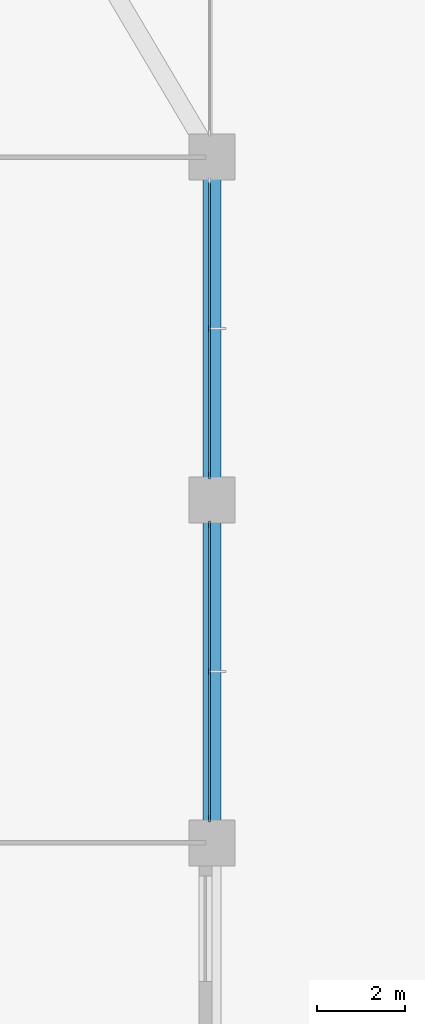
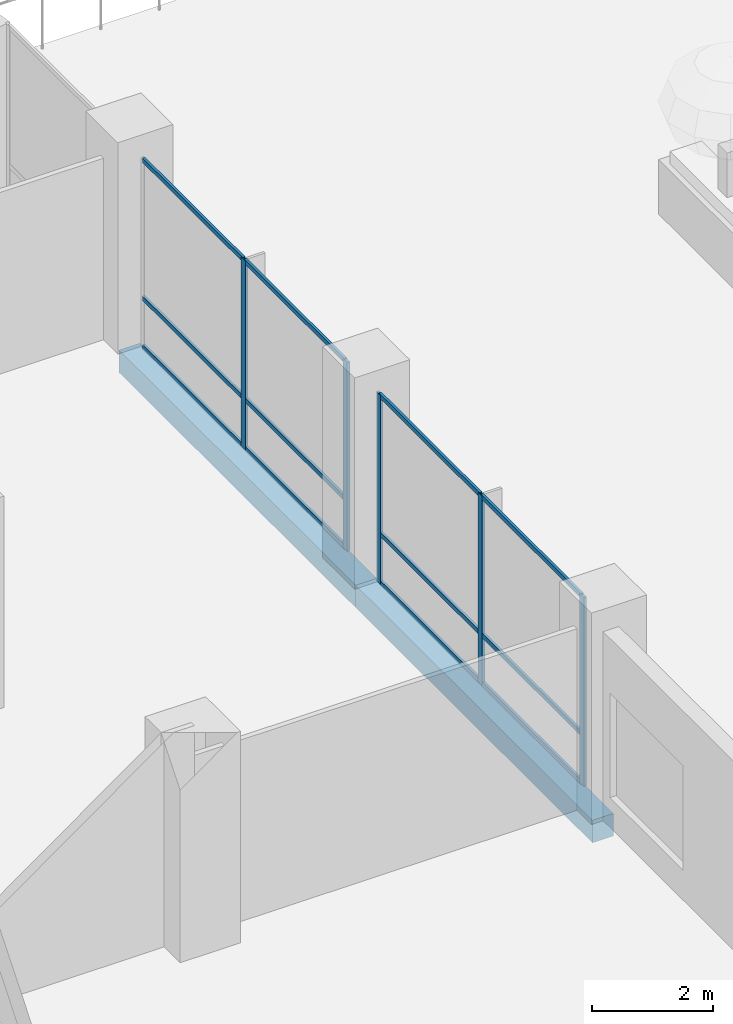
# One storey, part 8 of 31: 17 members, 2 beams, 2 elements without a shape of their own.
"""IFC4 building model written with IfcOpenShell, lengths in metres."""

import ifcopenshell
import ifcopenshell.guid

model = None  # the IFC model being written
_history = None  # IfcOwnerHistory: only IFC2X3 demands one
_inside = {}  # id of a spatial element -> (the spatial element, [elements in it])
_under = {}  # id of a project, library or spatial element -> (it, [spatial elements below it])
_declared = {}  # id of a project -> (the project, [libraries it declares])
_typed = {}  # id of a type object -> (the type object, [elements of that type])
_made_of = {}  # id of a material, layer set ... -> (it, [elements and type objects made of it])


def new_model(schema):
    """Start an empty IFC model of exactly this schema.

    Asked for "IFC4X3", IfcOpenShell would pick the latest addendum, in which some entities
    have other attributes; the version numbers below select the first issue.
    IFC2X3 requires an IfcOwnerHistory on every rooted entity: one is made here for all.
    """
    global model, _history
    if schema == "IFC4X3":
        model = ifcopenshell.file(schema_version=(4, 3, 0, 0))
    else:
        model = ifcopenshell.file(schema=schema)
    _inside.clear()
    _under.clear()
    _declared.clear()
    _typed.clear()
    _made_of.clear()
    _history = None
    if model.schema == "IFC2X3":
        org = make("IfcOrganization", Name="unknown")
        user = make(
            "IfcPersonAndOrganization",
            ThePerson=make("IfcPerson", FamilyName="unknown"),
            TheOrganization=org,
        )
        app = make(
            "IfcApplication",
            ApplicationDeveloper=org,
            Version="unknown",
            ApplicationFullName="unknown",
            ApplicationIdentifier="unknown",
        )
        _history = make(
            "IfcOwnerHistory",
            OwningUser=user,
            OwningApplication=app,
            ChangeAction="ADDED",
            CreationDate=0,
        )
    return model


def make(cls, **values):
    """One entity of the class cls with the attributes given. An attribute that is None is left unset."""
    return model.create_entity(
        cls, **{name: value for name, value in values.items() if value is not None}
    )


def rooted(cls, **values):
    """An entity with a GlobalId (a new one), such as an element, a storey or a relation."""
    return make(cls, GlobalId=ifcopenshell.guid.new(), OwnerHistory=_history, **values)


def si_unit(unit_type, name, prefix=None):
    """IfcSIUnit, for example si_unit("LENGTHUNIT", "METRE", prefix="MILLI")."""
    return make("IfcSIUnit", UnitType=unit_type, Prefix=prefix, Name=name)


def assignment(units):
    """IfcUnitAssignment: the units of a project."""
    return None if units is None else make("IfcUnitAssignment", Units=units)


def point(xyz):
    """IfcCartesianPoint."""
    return None if xyz is None else make("IfcCartesianPoint", Coordinates=xyz)


def direction(xyz):
    """IfcDirection."""
    return None if xyz is None else make("IfcDirection", DirectionRatios=xyz)


def frame(location, z_axis=None, x_axis=None):
    """IfcAxis2Placement3D, a coordinate frame: its origin and axes. An axis left out is left unset."""
    return make(
        "IfcAxis2Placement3D",
        Location=point(location),
        Axis=direction(z_axis),
        RefDirection=direction(x_axis),
    )


def frame_2d(location, x_axis=None):
    """IfcAxis2Placement2D, a coordinate frame in the plane: its origin and x axis."""
    return make(
        "IfcAxis2Placement2D", Location=point(location), RefDirection=direction(x_axis)
    )


def origin():
    """The frame at (0, 0, 0) with its axes left unset."""
    return frame((0.0, 0.0, 0.0))


def origin_2d():
    """The frame at (0, 0) in the plane with its x axis left unset."""
    return frame_2d((0.0, 0.0))


def place(relative_to, where):
    """IfcLocalPlacement: puts the frame where relative to a parent placement (None: the world)."""
    return make(
        "IfcLocalPlacement", PlacementRelTo=relative_to, RelativePlacement=where
    )


def context(
    kind, dimensions, precision=None, world=None, true_north=None, identifier=None
):
    """IfcGeometricRepresentationContext, for example the 3D "Model" context."""
    return make(
        "IfcGeometricRepresentationContext",
        ContextIdentifier=identifier,
        ContextType=kind,
        CoordinateSpaceDimension=dimensions,
        Precision=precision,
        WorldCoordinateSystem=world,
        TrueNorth=true_north,
    )


def subcontext(parent, identifier, kind, view, scale=None):
    """IfcGeometricRepresentationSubContext, for example "Body" below "Model"."""
    return make(
        "IfcGeometricRepresentationSubContext",
        ContextIdentifier=identifier,
        ContextType=kind,
        ParentContext=parent,
        TargetScale=scale,
        TargetView=view,
    )


def project(units=None, contexts=None):
    """IfcProject with its units and contexts."""
    return rooted(
        "IfcProject",
        Name="project",
        RepresentationContexts=contexts,
        UnitsInContext=assignment(units),
    )


def spatial(cls, under=None, at=None, **own):
    """A site, building, storey or space (cls), placed at a placement, below another one or the project."""
    s = rooted(cls, ObjectPlacement=at, **own)
    if under is not None:
        _under.setdefault(under.id(), (under, []))[1].append(s)
    return s


def profile(cls, at=None, kind="AREA", **sizes):
    """A parametric profile (cls). Its sizes go by their IFC names, for example OverallWidth=200.0."""
    return make(cls, ProfileType=kind, Position=at, **sizes)


def rectangle(**sizes):
    """IfcRectangleProfileDef."""
    return profile("IfcRectangleProfileDef", **sizes)


def extrude(swept, where, along, depth):
    """IfcExtrudedAreaSolid: the profile swept, set in the frame where, extruded along a direction by depth."""
    return make(
        "IfcExtrudedAreaSolid",
        SweptArea=swept,
        Position=where,
        ExtrudedDirection=direction(along),
        Depth=depth,
    )


def shape(context_of_items, identifier, shape_type, items):
    """IfcShapeRepresentation: the items that make up one representation, for example the "Body"."""
    return make(
        "IfcShapeRepresentation",
        ContextOfItems=context_of_items,
        RepresentationIdentifier=identifier,
        RepresentationType=shape_type,
        Items=items,
    )


def material(Name=None, Category=None):
    """IfcMaterial."""
    return make("IfcMaterial", Name=Name, Category=Category)


def material_profile(
    of_material, cross_section, Name=None, Category=None, Priority=None
):
    """IfcMaterialProfile: a cross section and its material."""
    return make(
        "IfcMaterialProfile",
        Name=Name,
        Material=of_material,
        Profile=cross_section,
        Priority=Priority,
        Category=Category,
    )


def profile_set(profiles, Name=None, composite=None):
    """IfcMaterialProfileSet."""
    return make(
        "IfcMaterialProfileSet",
        Name=Name,
        MaterialProfiles=profiles,
        CompositeProfile=composite,
    )


def made_of(thing, what):
    """Note that an element or type object is made of a material, layer set ...; save() writes the relation."""
    if what is not None:
        _made_of.setdefault(what.id(), (what, []))[1].append(thing)
    return thing


def type_object(cls, material=None, **own):
    """A type object (cls), such as IfcWallType, which elements share."""
    return made_of(rooted(cls, **own), material)


def element(
    cls,
    number,
    at=None,
    inside=None,
    cuts=None,
    type_object=None,
    material=None,
    context=None,
    identifier="Body",
    shape_type=None,
    held_by="IfcProductDefinitionShape",
    body=None,
    shapes=None,
    **own,
):
    """One element of the class cls, such as IfcWall. Its Tag is "e" and its number.

    at: its placement. inside: the storey or other place that contains it. cuts: it is an
    opening in that element (IfcRelVoidsElement). A single representation is given by context,
    identifier, shape_type and body (its items); several are given by shapes. held_by: the class
    of the entity that holds the representations. save() writes the other relations.
    """
    e = rooted(cls, Tag="e%d" % number, ObjectPlacement=at, **own)
    if body is not None:
        shapes = [shape(context, identifier, shape_type, body)]
    if shapes is not None:
        e.Representation = make(held_by, Representations=shapes)
    if inside is not None:
        _inside.setdefault(inside.id(), (inside, []))[1].append(e)
    if cuts is not None:
        rooted(
            "IfcRelVoidsElement", RelatingBuildingElement=cuts, RelatedOpeningElement=e
        )
    if type_object is not None:
        _typed.setdefault(type_object.id(), (type_object, []))[1].append(e)
    return made_of(e, material)


def aggregate(whole, parts):
    """IfcRelAggregates: a whole, such as a stair, and the parts it consists of."""
    return rooted("IfcRelAggregates", RelatingObject=whole, RelatedObjects=parts)


def save(model, path):
    """Write the relations noted so far, then the file.

    IfcRelAggregates (storeys below a building ...), IfcRelContainedInSpatialStructure (elements
    in a storey), IfcRelDefinesByType, IfcRelAssociatesMaterial and IfcRelDeclares: one each for
    every whole, place, type object, material and project.
    """
    for whole, parts in _under.values():
        aggregate(whole, parts)
    for where, things in _inside.values():
        rooted(
            "IfcRelContainedInSpatialStructure",
            RelatedElements=things,
            RelatingStructure=where,
        )
    for kind, things in _typed.values():
        rooted("IfcRelDefinesByType", RelatedObjects=things, RelatingType=kind)
    for what, things in _made_of.values():
        rooted("IfcRelAssociatesMaterial", RelatedObjects=things, RelatingMaterial=what)
    for by, libraries in _declared.values():
        rooted("IfcRelDeclares", RelatingContext=by, RelatedDefinitions=libraries)
    model.write(path)


model = new_model("IFC4")

# Units and contexts
model_context = context("Model", 3, precision=1e-05, world=origin(), true_north=direction((0.0, 1.0)))
body_context = subcontext(model_context, "Body", "Model", "MODEL_VIEW")
ifc_project = project(units=[si_unit("LENGTHUNIT", "METRE"), si_unit("AREAUNIT", "SQUARE_METRE"), si_unit("VOLUMEUNIT", "CUBIC_METRE"), si_unit("PLANEANGLEUNIT", "RADIAN"), si_unit("MASSUNIT", "GRAM", prefix="KILO")], contexts=[model_context])

# Site, building, storey
site_placement = place(None, origin())
site = spatial("IfcSite", under=ifc_project, at=site_placement, CompositionType="ELEMENT")
building_placement = place(site_placement, origin())
building = spatial("IfcBuilding", under=site, at=building_placement, Name="Ludao Terraces", CompositionType="ELEMENT")
storey_placement = place(building_placement, frame((0.0, 0.0, 15.0)))
storey = spatial("IfcBuildingStorey", under=building, at=storey_placement, Name="L03", CompositionType="ELEMENT", Elevation=15.0)

# Curtain wall, members
ifc_material_1 = material(Name="Aluminium curtain wall with fritted glass", Category="aluminium")
curtain_wall_type = type_object("IfcCurtainWallType", Name="ENV CW5 amenity glazing", PredefinedType="NOTDEFINED", material=ifc_material_1)
curtain_wall_1_placement = place(storey_placement, origin())
curtain_wall_1 = element("IfcCurtainWall", 1, at=curtain_wall_1_placement, inside=storey, type_object=curtain_wall_type, Name="Amenity glazing L03 E4", PredefinedType="NOTDEFINED")
ifc_material_2 = material(Name="Aluminium 6063-T6", Category="aluminium")
ifc_material_profile_1 = material_profile(ifc_material_2, rectangle(XDim=0.050048828125, YDim=0.139892578125, at=origin_2d()), Name="50 X 140")
ifc_profile_set_1 = profile_set([ifc_material_profile_1], Name="Aluminium 6063-T6")
member_type_1 = type_object("IfcMemberType", Name="ENV CW5 mullion 50x140", PredefinedType="MULLION", material=ifc_profile_set_1)
member_1_placement = place(storey_placement, frame((108.340087890625, 65.550048828125, 0.0), z_axis=(0.0, 0.0, 1.0), x_axis=(-1.0, 0.0, 0.0)))
member_1 = element("IfcMember", 2, at=member_1_placement, type_object=member_type_1, Name="CW5 mullion 1", PredefinedType="MULLION", context=body_context, shape_type="SweptSolid", body=[
    extrude(rectangle(XDim=0.050048828125, YDim=0.139892578125, at=origin_2d()), origin(), (0.0, 0.0, 1.0), 3.800048828125),
])
member_2_placement = place(storey_placement, frame((108.340087890625, 68.89990234375, 0.0), z_axis=(0.0, 0.0, 1.0), x_axis=(-1.0, 0.0, 0.0)))
member_2 = element("IfcMember", 3, at=member_2_placement, type_object=member_type_1, Name="CW5 mullion 2", PredefinedType="MULLION", context=body_context, shape_type="SweptSolid", body=[
    extrude(rectangle(XDim=0.050048828125, YDim=0.139892578125, at=origin_2d()), origin(), (0.0, 0.0, 1.0), 3.800048828125),
])
member_3_placement = place(storey_placement, frame((108.340087890625, 72.25, 0.0), z_axis=(0.0, 0.0, 1.0), x_axis=(-1.0, 0.0, 0.0)))
member_3 = element("IfcMember", 4, at=member_3_placement, type_object=member_type_1, Name="CW5 mullion 3", PredefinedType="MULLION", context=body_context, shape_type="SweptSolid", body=[
    extrude(rectangle(XDim=0.050048828125, YDim=0.139892578125, at=origin_2d()), origin(), (0.0, 0.0, 1.0), 3.800048828125),
])

curtain_wall_2_placement = place(storey_placement, origin())
curtain_wall_2 = element("IfcCurtainWall", 5, at=curtain_wall_2_placement, inside=storey, type_object=curtain_wall_type, Name="Amenity glazing L03 E5", PredefinedType="NOTDEFINED")
member_4_placement = place(storey_placement, frame((108.340087890625, 73.35009765625, 0.0), z_axis=(0.0, 0.0, 1.0), x_axis=(-1.0, 0.0, 0.0)))
member_4 = element("IfcMember", 6, at=member_4_placement, type_object=member_type_1, Name="CW5 mullion 1", PredefinedType="MULLION", context=body_context, shape_type="SweptSolid", body=[
    extrude(rectangle(XDim=0.050048828125, YDim=0.139892578125, at=origin_2d()), origin(), (0.0, 0.0, 1.0), 3.800048828125),
])
member_5_placement = place(storey_placement, frame((108.340087890625, 76.699951171875, 0.0), z_axis=(0.0, 0.0, 1.0), x_axis=(-1.0, 0.0, 0.0)))
member_5 = element("IfcMember", 7, at=member_5_placement, type_object=member_type_1, Name="CW5 mullion 2", PredefinedType="MULLION", context=body_context, shape_type="SweptSolid", body=[
    extrude(rectangle(XDim=0.050048828125, YDim=0.139892578125, at=origin_2d()), origin(), (0.0, 0.0, 1.0), 3.800048828125),
])

# Member
ifc_material_profile_2 = material_profile(ifc_material_2, rectangle(XDim=0.050048828125, YDim=0.090087890625, at=origin_2d()), Name="50 X 90")
ifc_profile_set_2 = profile_set([ifc_material_profile_2], Name="Aluminium 6063-T6")
member_type_2 = type_object("IfcMemberType", Name="ENV CW5 transom 50x90", PredefinedType="USERDEFINED", material=ifc_profile_set_2)
member_6_placement = place(storey_placement, frame((108.340087890625, 65.574951171875, 0.02490234375), z_axis=(0.0, 1.0, 0.0), x_axis=(-1.0, 0.0, 0.0)))
member_6 = element("IfcMember", 8, at=member_6_placement, type_object=member_type_2, Name="CW5 transom 1.1", ObjectType="TRANSOM", PredefinedType="USERDEFINED", context=body_context, shape_type="SweptSolid", body=[
    extrude(rectangle(XDim=0.050048828125, YDim=0.090087890625, at=origin_2d()), origin(), (0.0, 0.0, 1.0), 3.300048828125),
])

member_7_placement = place(storey_placement, frame((108.340087890625, 65.574951171875, 1.0), z_axis=(0.0, 1.0, 0.0), x_axis=(-1.0, 0.0, 0.0)))
member_7 = element("IfcMember", 9, at=member_7_placement, type_object=member_type_2, Name="CW5 transom 1.2", ObjectType="TRANSOM", PredefinedType="USERDEFINED", context=body_context, shape_type="SweptSolid", body=[
    extrude(rectangle(XDim=0.050048828125, YDim=0.090087890625, at=origin_2d()), origin(), (0.0, 0.0, 1.0), 3.300048828125),
])

member_8_placement = place(storey_placement, frame((108.340087890625, 65.574951171875, 3.77490234375), z_axis=(0.0, 1.0, 0.0), x_axis=(-1.0, 0.0, 0.0)))
member_8 = element("IfcMember", 10, at=member_8_placement, type_object=member_type_2, Name="CW5 transom 1.3", ObjectType="TRANSOM", PredefinedType="USERDEFINED", context=body_context, shape_type="SweptSolid", body=[
    extrude(rectangle(XDim=0.050048828125, YDim=0.090087890625, at=origin_2d()), origin(), (0.0, 0.0, 1.0), 3.300048828125),
])

member_9_placement = place(storey_placement, frame((108.340087890625, 68.925048828125, 0.02490234375), z_axis=(0.0, 1.0, 0.0), x_axis=(-1.0, 0.0, 0.0)))
member_9 = element("IfcMember", 11, at=member_9_placement, type_object=member_type_2, Name="CW5 transom 2.1", ObjectType="TRANSOM", PredefinedType="USERDEFINED", context=body_context, shape_type="SweptSolid", body=[
    extrude(rectangle(XDim=0.050048828125, YDim=0.090087890625, at=origin_2d()), origin(), (0.0, 0.0, 1.0), 3.300048828125),
])

member_10_placement = place(storey_placement, frame((108.340087890625, 68.925048828125, 1.0), z_axis=(0.0, 1.0, 0.0), x_axis=(-1.0, 0.0, 0.0)))
member_10 = element("IfcMember", 12, at=member_10_placement, type_object=member_type_2, Name="CW5 transom 2.2", ObjectType="TRANSOM", PredefinedType="USERDEFINED", context=body_context, shape_type="SweptSolid", body=[
    extrude(rectangle(XDim=0.050048828125, YDim=0.090087890625, at=origin_2d()), origin(), (0.0, 0.0, 1.0), 3.300048828125),
])

member_11_placement = place(storey_placement, frame((108.340087890625, 68.925048828125, 3.77490234375), z_axis=(0.0, 1.0, 0.0), x_axis=(-1.0, 0.0, 0.0)))
member_11 = element("IfcMember", 13, at=member_11_placement, type_object=member_type_2, Name="CW5 transom 2.3", ObjectType="TRANSOM", PredefinedType="USERDEFINED", context=body_context, shape_type="SweptSolid", body=[
    extrude(rectangle(XDim=0.050048828125, YDim=0.090087890625, at=origin_2d()), origin(), (0.0, 0.0, 1.0), 3.300048828125),
])

aggregate(curtain_wall_1, [member_1, member_2, member_3, member_6, member_7, member_8, member_9, member_10, member_11])

member_12_placement = place(storey_placement, frame((108.340087890625, 73.375, 0.02490234375), z_axis=(0.0, 1.0, 0.0), x_axis=(-1.0, 0.0, 0.0)))
member_12 = element("IfcMember", 14, at=member_12_placement, type_object=member_type_2, Name="CW5 transom 1.1", ObjectType="TRANSOM", PredefinedType="USERDEFINED", context=body_context, shape_type="SweptSolid", body=[
    extrude(rectangle(XDim=0.050048828125, YDim=0.090087890625, at=origin_2d()), origin(), (0.0, 0.0, 1.0), 3.300048828125),
])

member_13_placement = place(storey_placement, frame((108.340087890625, 73.375, 1.0), z_axis=(0.0, 1.0, 0.0), x_axis=(-1.0, 0.0, 0.0)))
member_13 = element("IfcMember", 15, at=member_13_placement, type_object=member_type_2, Name="CW5 transom 1.2", ObjectType="TRANSOM", PredefinedType="USERDEFINED", context=body_context, shape_type="SweptSolid", body=[
    extrude(rectangle(XDim=0.050048828125, YDim=0.090087890625, at=origin_2d()), origin(), (0.0, 0.0, 1.0), 3.300048828125),
])

member_14_placement = place(storey_placement, frame((108.340087890625, 73.375, 3.77490234375), z_axis=(0.0, 1.0, 0.0), x_axis=(-1.0, 0.0, 0.0)))
member_14 = element("IfcMember", 16, at=member_14_placement, type_object=member_type_2, Name="CW5 transom 1.3", ObjectType="TRANSOM", PredefinedType="USERDEFINED", context=body_context, shape_type="SweptSolid", body=[
    extrude(rectangle(XDim=0.050048828125, YDim=0.090087890625, at=origin_2d()), origin(), (0.0, 0.0, 1.0), 3.300048828125),
])

member_15_placement = place(storey_placement, frame((108.340087890625, 76.72509765625, 0.02490234375), z_axis=(0.0, 1.0, 0.0), x_axis=(-1.0, 0.0, 0.0)))
member_15 = element("IfcMember", 17, at=member_15_placement, type_object=member_type_2, Name="CW5 transom 2.1", ObjectType="TRANSOM", PredefinedType="USERDEFINED", context=body_context, shape_type="SweptSolid", body=[
    extrude(rectangle(XDim=0.050048828125, YDim=0.090087890625, at=origin_2d()), origin(), (0.0, 0.0, 1.0), 3.2998046875),
])

member_16_placement = place(storey_placement, frame((108.340087890625, 76.72509765625, 1.0), z_axis=(0.0, 1.0, 0.0), x_axis=(-1.0, 0.0, 0.0)))
member_16 = element("IfcMember", 18, at=member_16_placement, type_object=member_type_2, Name="CW5 transom 2.2", ObjectType="TRANSOM", PredefinedType="USERDEFINED", context=body_context, shape_type="SweptSolid", body=[
    extrude(rectangle(XDim=0.050048828125, YDim=0.090087890625, at=origin_2d()), origin(), (0.0, 0.0, 1.0), 3.2998046875),
])

member_17_placement = place(storey_placement, frame((108.340087890625, 76.72509765625, 3.77490234375), z_axis=(0.0, 1.0, 0.0), x_axis=(-1.0, 0.0, 0.0)))
member_17 = element("IfcMember", 19, at=member_17_placement, type_object=member_type_2, Name="CW5 transom 2.3", ObjectType="TRANSOM", PredefinedType="USERDEFINED", context=body_context, shape_type="SweptSolid", body=[
    extrude(rectangle(XDim=0.050048828125, YDim=0.090087890625, at=origin_2d()), origin(), (0.0, 0.0, 1.0), 3.2998046875),
])

aggregate(curtain_wall_2, [member_4, member_5, member_12, member_13, member_14, member_15, member_16, member_17])

# Beams
ifc_material_3 = material(Name="Concrete C40", Category="concrete")
ifc_material_profile_3 = material_profile(ifc_material_3, rectangle(XDim=0.39990234375, YDim=0.449951171875, at=origin_2d()), Name="400 X 450")
ifc_profile_set_3 = profile_set([ifc_material_profile_3], Name="Concrete C40")
beam_type = type_object("IfcBeamType", Name="RC beam 400x450 C40", PredefinedType="BEAM", material=ifc_profile_set_3)
for number, where, z_axis, x_axis, name in (
    (20, (108.39990234375, 65.0, -0.574951171875), (0.0, 1.0, 0.0), (-1.0, 0.0, 0.0), "Spandrel beam L03 E22"),
    (21, (108.39990234375, 72.800048828125, -0.574951171875), (0.0, 1.0, 0.0), (-1.0, 0.0, 0.0), "Spandrel beam L03 E23"),
):
    element("IfcBeam", number, at=place(storey_placement, frame(where, z_axis=z_axis, x_axis=x_axis)), inside=storey, type_object=beam_type, Name=name, PredefinedType="BEAM", context=body_context, shape_type="SweptSolid", body=[
        extrude(rectangle(XDim=0.39990234375, YDim=0.449951171875, at=origin_2d()), origin(), (0.0, 0.0, 1.0), 7.800048828125),
    ])

save(model, "model.ifc")
